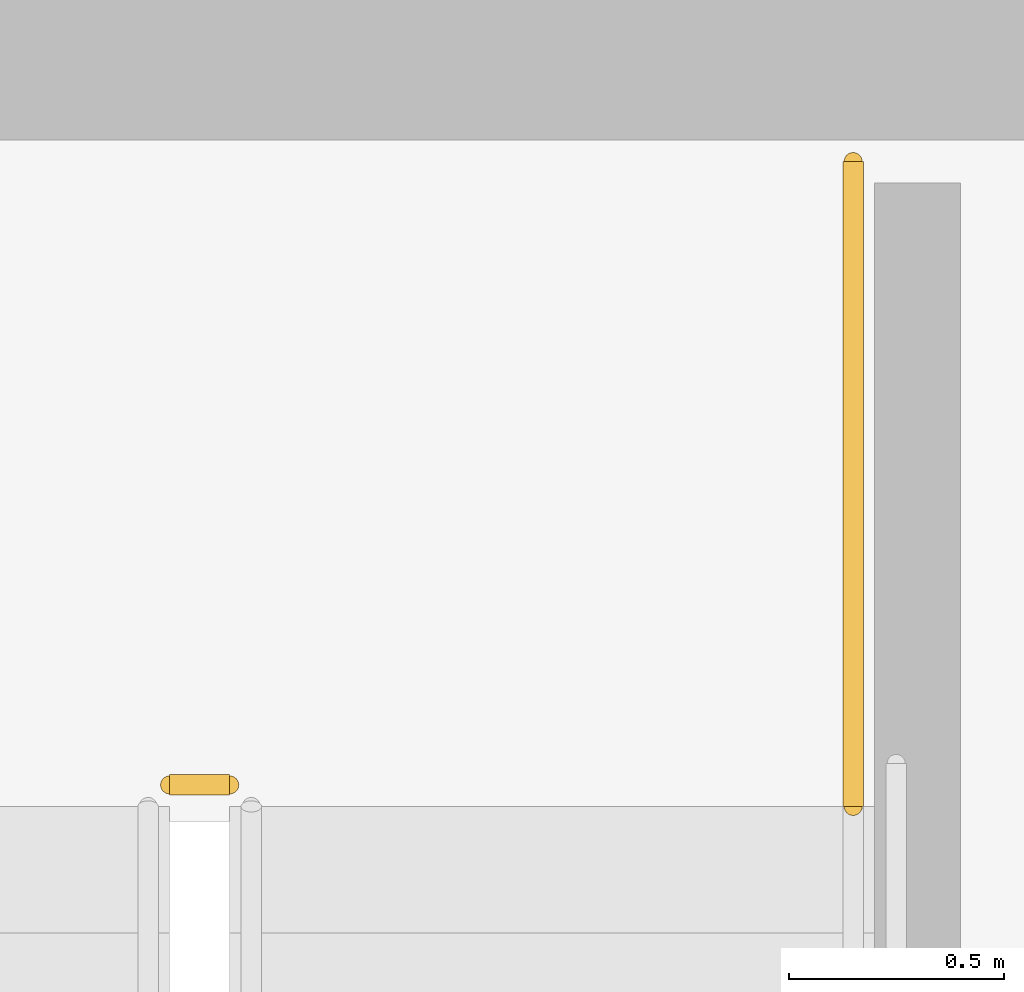
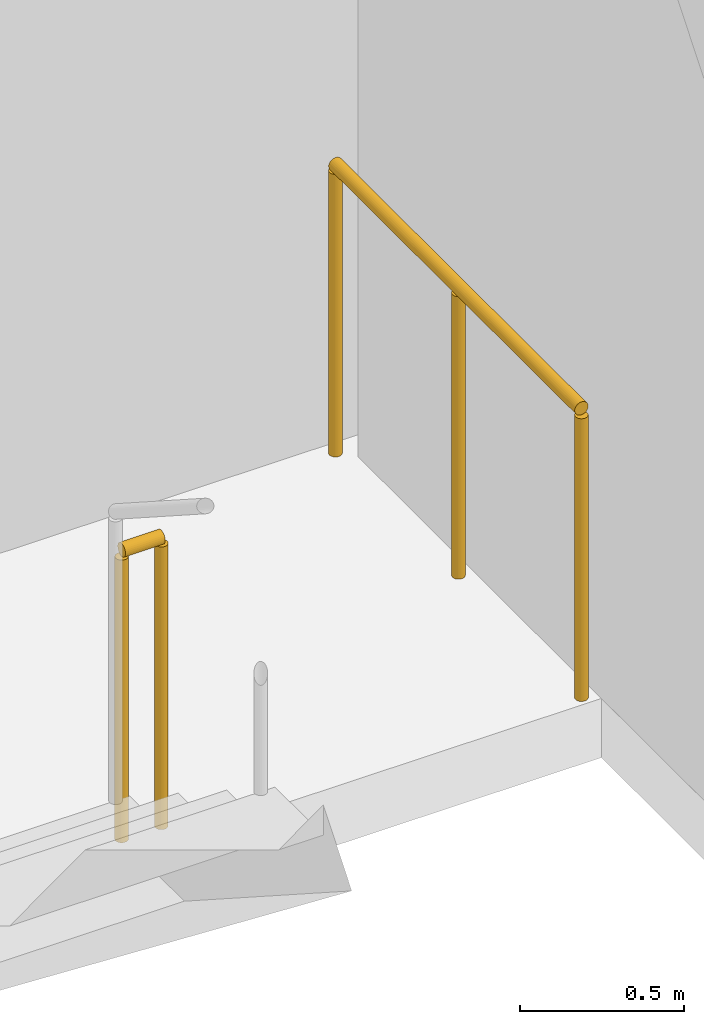
# One storey, part 33 of 34: 2 railings.
"""IFC4 building model written with IfcOpenShell, lengths in metres."""

from ifc_helpers import new_model, si_unit, direction, frame, origin, origin_2d, place, context, subcontext, project, spatial, circle, extrude, material, layer, layer_set, type_object, element, save


model = new_model("IFC4")

# Units and contexts
model_context = context("Model", 3, precision=1e-05, world=origin(), true_north=direction((0.0, 1.0)))
body_context = subcontext(model_context, "Body", "Model", "MODEL_VIEW")
ifc_project = project(units=[si_unit("LENGTHUNIT", "METRE"), si_unit("AREAUNIT", "SQUARE_METRE"), si_unit("VOLUMEUNIT", "CUBIC_METRE"), si_unit("PLANEANGLEUNIT", "RADIAN"), si_unit("MASSUNIT", "GRAM", prefix="KILO")], contexts=[model_context])

# Site, building, storey
site_placement = place(None, origin())
site = spatial("IfcSite", under=ifc_project, at=site_placement, CompositionType="ELEMENT")
building_placement = place(site_placement, origin())
building = spatial("IfcBuilding", under=site, at=building_placement, Name="Ndaravel Arena Tower", CompositionType="ELEMENT")
storey_placement = place(building_placement, frame((0.0, 0.0, 195.39990234375)))
storey = spatial("IfcBuildingStorey", under=building, at=storey_placement, Name="L47", CompositionType="ELEMENT", Elevation=195.39990234375)

# Railings
ifc_material = material(Name="Steel S355", Category="steel")
ifc_layer = layer(ifc_material, 0.06005859375)
ifc_layer_set = layer_set([ifc_layer], Name="Steel S355")
railing_type = type_object("IfcRailingType", Name="RAIL-STAIR-GD1100", PredefinedType="GUARDRAIL", material=ifc_layer_set)
railing_1_placement = place(storey_placement, frame((55.10009765625, 13.300048828125, 0.0)))
element("IfcRailing", 1, at=railing_1_placement, inside=storey, type_object=railing_type, Name="L47 ST-3 stair guard 4", PredefinedType="GUARDRAIL", context=body_context, shape_type="SweptSolid", body=[
    extrude(circle(Radius=0.02392578125, at=origin_2d()), frame((0.0, 0.0, 1.076171875), z_axis=(1.0, 0.0, 0.0), x_axis=(0.0, 1.0, 0.0)), (0.0, 0.0, 1.0), 0.139892578125),
    extrude(circle(Radius=0.02099609375, at=origin_2d()), origin(), (0.0, 0.0, 1.0), 1.052001953125),
    extrude(circle(Radius=0.02099609375, at=origin_2d()), frame((0.139892578125, 0.0, 0.0)), (0.0, 0.0, 1.0), 1.052001953125),
])
railing_2_placement = place(storey_placement, frame((56.68994140625, 14.75, 0.0)))
element("IfcRailing", 2, at=railing_2_placement, inside=storey, type_object=railing_type, Name="L47 ST-3 stair guard 5", PredefinedType="GUARDRAIL", context=body_context, shape_type="SweptSolid", body=[
    extrude(circle(Radius=0.02392578125, at=origin_2d()), frame((0.0, 0.0, 1.076171875), z_axis=(0.0, -1.0, 0.0), x_axis=(1.0, 0.0, 0.0)), (0.0, 0.0, 1.0), 1.5),
    extrude(circle(Radius=0.02099609375, at=origin_2d()), origin(), (0.0, 0.0, 1.0), 1.052001953125),
    extrude(circle(Radius=0.02099609375, at=origin_2d()), frame((0.0, -0.75, 0.0)), (0.0, 0.0, 1.0), 1.052001953125),
    extrude(circle(Radius=0.02099609375, at=origin_2d()), frame((0.0, -1.5, 0.0)), (0.0, 0.0, 1.0), 1.052001953125),
])

save(model, "model.ifc")
